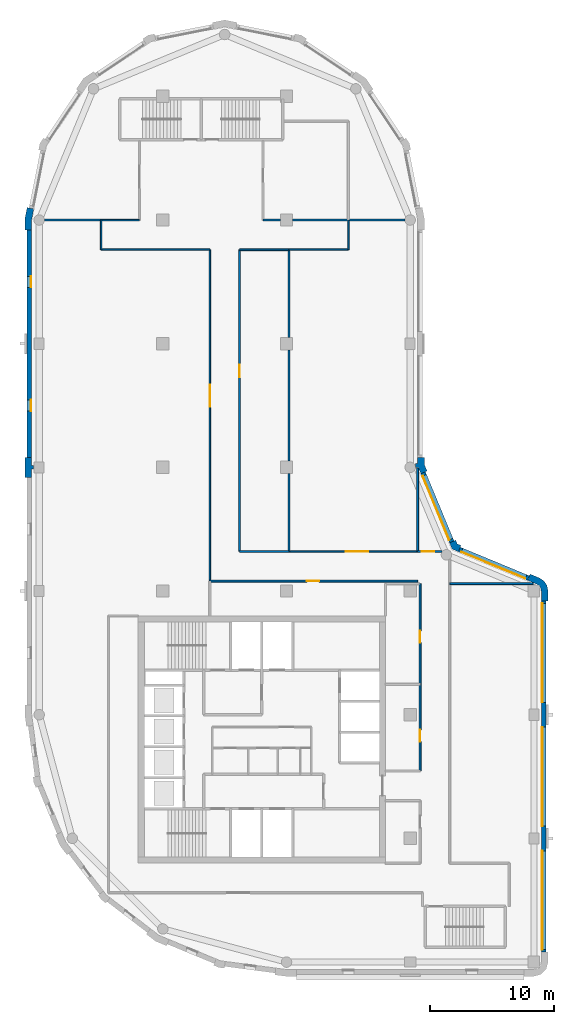
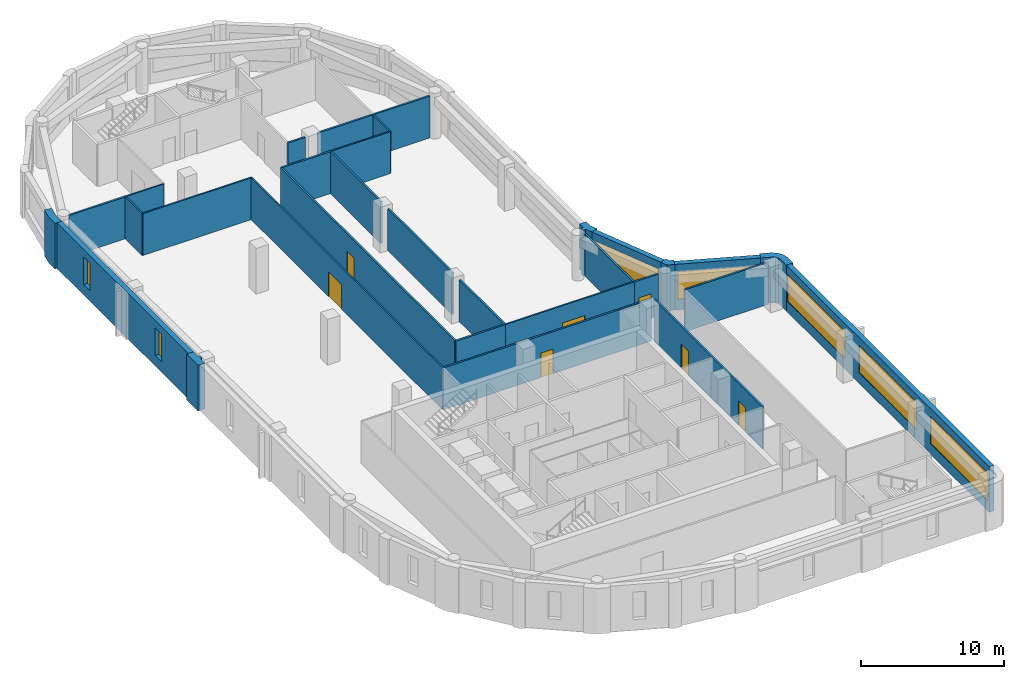
# One storey, part 4 of 8: 30 walls, 7 doors, 7 windows, 14 openings.
"""IFC4 building model written with IfcOpenShell, lengths in metres."""

from ifc_helpers import new_model, si_unit, direction, frame, frame_2d, origin, place, context, subcontext, project, spatial, polyline, rectangle, outline, extrude, material, layer, layer_set, type_object, element, fill, save


model = new_model("IFC4")

# Units and contexts
model_context = context("Model", 3, precision=1e-05, world=origin(), true_north=direction((0.0, 1.0)))
body_context = subcontext(model_context, "Body", "Model", "MODEL_VIEW")
ifc_project = project(units=[si_unit("LENGTHUNIT", "METRE"), si_unit("AREAUNIT", "SQUARE_METRE"), si_unit("VOLUMEUNIT", "CUBIC_METRE"), si_unit("PLANEANGLEUNIT", "RADIAN"), si_unit("MASSUNIT", "GRAM", prefix="KILO")], contexts=[model_context])

# Site, building, storey
site_placement = place(None, origin())
site = spatial("IfcSite", under=ifc_project, at=site_placement, CompositionType="ELEMENT")
building_placement = place(site_placement, origin())
building = spatial("IfcBuilding", under=site, at=building_placement, Name="Qaws Garden Tower", CompositionType="ELEMENT")
storey_placement = place(building_placement, frame((0.0, 0.0, 337.199951171875)))
storey = spatial("IfcBuildingStorey", under=building, at=storey_placement, Name="L82", CompositionType="ELEMENT", Elevation=337.199951171875)

# Wall
ifc_material_1 = material(Name="Clay facing brick masonry", Category="masonry")
ifc_layer_1 = layer(ifc_material_1, 0.550048828125)
ifc_layer_set_1 = layer_set([ifc_layer_1], Name="Clay facing brick masonry")
wall_type_1 = type_object("IfcWallType", Name="Brick corner pier 550 x 2400", PredefinedType="SOLIDWALL", material=ifc_layer_set_1)
placement = place(storey_placement, origin())
element("IfcWall", 1, at=placement, inside=storey, type_object=wall_type_1, Name="E-L82-pier-05", PredefinedType="SOLIDWALL", context=body_context, shape_type="SweptSolid", body=[
    extrude(outline(polyline([(41.0, 29.199951171875), (41.14990234375, 29.199951171875), (41.14990234375, 30.0), (41.0625, 30.440185546875), (40.813232421875, 30.813232421875), (40.440185546875, 31.0625), (39.700927734375, 31.36865234375), (39.6435546875, 31.22998046875), (39.490478515625, 30.860595703125), (40.2294921875, 30.554443359375), (40.42431640625, 30.42431640625), (40.554443359375, 30.2294921875), (40.60009765625, 30.0), (40.60009765625, 29.199951171875), (41.0, 29.199951171875)])), origin(), (0.0, 0.0, 1.0), 3.900146484375),
])

# Wall, openings, windows
ifc_material_2 = material(Name="Clay facing brick masonry", Category="masonry")
ifc_layer_2 = layer(ifc_material_2, 0.39990234375)
ifc_layer_set_2 = layer_set([ifc_layer_2], Name="Clay facing brick masonry")
wall_type_2 = type_object("IfcWallType", Name="Brick infill wall 400", PredefinedType="SOLIDWALL", material=ifc_layer_set_2)
wall_2_placement = place(storey_placement, frame((40.800048828125, 0.800048828125, 0.0), z_axis=(0.0, 0.0, 1.0), x_axis=(0.0, 1.0, 0.0)))
wall_2 = element("IfcWall", 2, at=wall_2_placement, inside=storey, type_object=wall_type_2, Name="E-L82-infill-02", PredefinedType="SOLIDWALL", context=body_context, shape_type="SweptSolid", body=[
    extrude(rectangle(XDim=28.39990234375, YDim=0.39990234375, at=frame_2d((14.199951171875, 0.0))), origin(), (0.0, 0.0, 1.0), 3.900146484375),
])
opening_1_placement = place(wall_2_placement, frame((0.199951171875, 0.0, 0.89990234375)))
opening_1 = element("IfcOpeningElement", 3, at=opening_1_placement, cuts=wall_2, Name="Opening W01", PredefinedType="OPENING", context=body_context, shape_type="SweptSolid", body=[
    extrude(rectangle(XDim=8.0, YDim=2.35009765625, at=frame_2d((4.0, 1.175048828125))), frame((0.0, 0.2099609375, 0.0), z_axis=(0.0, -1.0, 0.0), x_axis=(1.0, 0.0, 0.0)), (0.0, 0.0, 1.0), 0.419921875),
])
opening_2_placement = place(wall_2_placement, frame((10.199951171875, 0.0, 0.89990234375)))
opening_2 = element("IfcOpeningElement", 4, at=opening_2_placement, cuts=wall_2, Name="Opening W01", PredefinedType="OPENING", context=body_context, shape_type="SweptSolid", body=[
    extrude(rectangle(XDim=8.0, YDim=2.35009765625, at=frame_2d((4.0, 1.175048828125))), frame((0.0, 0.2099609375, 0.0), z_axis=(0.0, -1.0, 0.0), x_axis=(1.0, 0.0, 0.0)), (0.0, 0.0, 1.0), 0.419921875),
])
opening_3_placement = place(wall_2_placement, frame((20.199951171875, 0.0, 0.89990234375)))
opening_3 = element("IfcOpeningElement", 5, at=opening_3_placement, cuts=wall_2, Name="Opening W01", PredefinedType="OPENING", context=body_context, shape_type="SweptSolid", body=[
    extrude(rectangle(XDim=8.0, YDim=2.35009765625, at=frame_2d((4.0, 1.175048828125))), frame((0.0, 0.2099609375, 0.0), z_axis=(0.0, -1.0, 0.0), x_axis=(1.0, 0.0, 0.0)), (0.0, 0.0, 1.0), 0.419921875),
])
ifc_material_3 = material(Name="Aluminium framed window, clear glazing", Category="aluminium")
window_type_1 = type_object("IfcWindowType", Name="Ribbon window 8000 x 2350", PartitioningType="DOUBLE_PANEL_VERTICAL", PredefinedType="WINDOW", material=ifc_material_3)
window_1_placement = place(opening_1_placement, origin())
window_1 = element("IfcWindow", 6, at=window_1_placement, inside=storey, type_object=window_type_1, Name="E-L82-window-02-0", OverallHeight=2.35009765625, OverallWidth=8.0, PartitioningType="SINGLE_PANEL", PredefinedType="WINDOW", context=body_context, shape_type="SweptSolid", body=[
    extrude(rectangle(XDim=8.0, YDim=2.35009765625, at=frame_2d((4.0, 1.175048828125))), frame((0.0, 0.159912109375, 0.0), z_axis=(0.0, -1.0, 0.0), x_axis=(1.0, 0.0, 0.0)), (0.0, 0.0, 1.0), 0.06005859375),
])
fill(opening_1, window_1)
window_2_placement = place(opening_2_placement, origin())
window_2 = element("IfcWindow", 7, at=window_2_placement, inside=storey, type_object=window_type_1, Name="E-L82-window-03-0", OverallHeight=2.35009765625, OverallWidth=8.0, PartitioningType="SINGLE_PANEL", PredefinedType="WINDOW", context=body_context, shape_type="SweptSolid", body=[
    extrude(rectangle(XDim=8.0, YDim=2.35009765625, at=frame_2d((4.0, 1.175048828125))), frame((0.0, 0.159912109375, 0.0), z_axis=(0.0, -1.0, 0.0), x_axis=(1.0, 0.0, 0.0)), (0.0, 0.0, 1.0), 0.06005859375),
])
fill(opening_2, window_2)
window_3_placement = place(opening_3_placement, origin())
window_3 = element("IfcWindow", 8, at=window_3_placement, inside=storey, type_object=window_type_1, Name="E-L82-window-04-0", OverallHeight=2.35009765625, OverallWidth=8.0, PartitioningType="SINGLE_PANEL", PredefinedType="WINDOW", context=body_context, shape_type="SweptSolid", body=[
    extrude(rectangle(XDim=8.0, YDim=2.35009765625, at=frame_2d((4.0, 1.175048828125))), frame((0.0, 0.159912109375, 0.0), z_axis=(0.0, -1.0, 0.0), x_axis=(1.0, 0.0, 0.0)), (0.0, 0.0, 1.0), 0.06005859375),
])
fill(opening_3, window_3)

# Wall, opening, window
wall_3_placement = place(storey_placement, frame((39.56689453125, 31.04541015625, 0.0), z_axis=(0.0, 0.0, 1.0), x_axis=(-0.923891000409, 0.382655745237, 0.0)))
wall_3 = element("IfcWall", 9, at=wall_3_placement, inside=storey, type_object=wall_type_2, Name="E-L82-infill-05", PredefinedType="SOLIDWALL", context=body_context, shape_type="SweptSolid", body=[
    extrude(rectangle(XDim=6.053466796875, YDim=0.39990234375, at=frame_2d((3.02685546875, 0.0))), origin(), (0.0, 0.0, 1.0), 3.900146484375),
])
opening_4_placement = place(wall_3_placement, frame((0.226806640625, 0.0, 0.89990234375)))
opening_4 = element("IfcOpeningElement", 10, at=opening_4_placement, cuts=wall_3, Name="Opening W04", PredefinedType="OPENING", context=body_context, shape_type="SweptSolid", body=[
    extrude(rectangle(XDim=5.60009765625, YDim=2.35009765625, at=frame_2d((2.800048828125, 1.175048828125))), frame((0.0, 0.2099609375, 0.0), z_axis=(0.0, -1.0, 0.0), x_axis=(1.0, 0.0, 0.0)), (0.0, 0.0, 1.0), 0.419921875),
])
ifc_material_4 = material(Name="Aluminium framed window, clear glazing", Category="aluminium")
window_type_2 = type_object("IfcWindowType", Name="Ribbon window 5600 x 2350", PartitioningType="DOUBLE_PANEL_VERTICAL", PredefinedType="WINDOW", material=ifc_material_4)
window_4_placement = place(opening_4_placement, origin())
window_4 = element("IfcWindow", 11, at=window_4_placement, inside=storey, type_object=window_type_2, Name="E-L82-window-05-0", OverallHeight=2.35009765625, OverallWidth=5.60009765625, PartitioningType="SINGLE_PANEL", PredefinedType="WINDOW", context=body_context, shape_type="SweptSolid", body=[
    extrude(rectangle(XDim=5.60009765625, YDim=2.35009765625, at=frame_2d((2.800048828125, 1.175048828125))), frame((0.0, 0.159912109375, 0.0), z_axis=(0.0, -1.0, 0.0), x_axis=(1.0, 0.0, 0.0)), (0.0, 0.0, 1.0), 0.06005859375),
])
fill(opening_4, window_4)

wall_4_placement = place(storey_placement, frame((33.36181640625, 33.97412109375, 0.0), z_axis=(0.0, 0.0, 1.0), x_axis=(-0.382655745237, 0.923891000409, 0.0)))
wall_4 = element("IfcWall", 12, at=wall_4_placement, inside=storey, type_object=wall_type_2, Name="E-L82-infill-06", PredefinedType="SOLIDWALL", context=body_context, shape_type="SweptSolid", body=[
    extrude(rectangle(XDim=6.053466796875, YDim=0.39990234375, at=frame_2d((3.02685546875, 0.0))), origin(), (0.0, 0.0, 1.0), 3.900146484375),
])
opening_5_placement = place(wall_4_placement, frame((0.226806640625, 0.0, 0.89990234375)))
opening_5 = element("IfcOpeningElement", 13, at=opening_5_placement, cuts=wall_4, Name="Opening W04", PredefinedType="OPENING", context=body_context, shape_type="SweptSolid", body=[
    extrude(rectangle(XDim=5.60009765625, YDim=2.35009765625, at=frame_2d((2.800048828125, 1.175048828125))), frame((0.0, 0.2099609375, 0.0), z_axis=(0.0, -1.0, 0.0), x_axis=(1.0, 0.0, 0.0)), (0.0, 0.0, 1.0), 0.419921875),
])
window_5_placement = place(opening_5_placement, origin())
window_5 = element("IfcWindow", 14, at=window_5_placement, inside=storey, type_object=window_type_2, Name="E-L82-window-06-0", OverallHeight=2.35009765625, OverallWidth=5.60009765625, PartitioningType="SINGLE_PANEL", PredefinedType="WINDOW", context=body_context, shape_type="SweptSolid", body=[
    extrude(rectangle(XDim=5.60009765625, YDim=2.35009765625, at=frame_2d((2.800048828125, 1.175048828125))), frame((0.0, 0.159912109375, 0.0), z_axis=(0.0, -1.0, 0.0), x_axis=(1.0, 0.0, 0.0)), (0.0, 0.0, 1.0), 0.06005859375),
])
fill(opening_5, window_5)

# Wall, openings, windows
wall_5_placement = place(storey_placement, frame((-0.800048828125, 59.199951171875, 0.0), z_axis=(0.0, 0.0, 1.0), x_axis=(0.0, -1.0, 0.0)))
wall_5 = element("IfcWall", 15, at=wall_5_placement, inside=storey, type_object=wall_type_2, Name="E-L82-infill-17", PredefinedType="SOLIDWALL", context=body_context, shape_type="SweptSolid", body=[
    extrude(rectangle(XDim=18.39990234375, YDim=0.39990234375, at=frame_2d((9.199951171875, 0.0))), origin(), (0.0, 0.0, 1.0), 3.900146484375),
])
opening_6_placement = place(wall_5_placement, frame((3.75, 0.0, 0.89990234375)))
opening_6 = element("IfcOpeningElement", 16, at=opening_6_placement, cuts=wall_5, Name="Opening W09", PredefinedType="OPENING", context=body_context, shape_type="SweptSolid", body=[
    extrude(rectangle(XDim=0.89990234375, YDim=2.35009765625, at=frame_2d((0.449951171875, 1.175048828125))), frame((0.0, 0.2099609375, 0.0), z_axis=(0.0, -1.0, 0.0), x_axis=(1.0, 0.0, 0.0)), (0.0, 0.0, 1.0), 0.419921875),
])
opening_7_placement = place(wall_5_placement, frame((13.75, 0.0, 0.89990234375)))
opening_7 = element("IfcOpeningElement", 17, at=opening_7_placement, cuts=wall_5, Name="Opening W09", PredefinedType="OPENING", context=body_context, shape_type="SweptSolid", body=[
    extrude(rectangle(XDim=0.89990234375, YDim=2.35009765625, at=frame_2d((0.449951171875, 1.175048828125))), frame((0.0, 0.2099609375, 0.0), z_axis=(0.0, -1.0, 0.0), x_axis=(1.0, 0.0, 0.0)), (0.0, 0.0, 1.0), 0.419921875),
])
ifc_material_5 = material(Name="Aluminium framed window, clear glazing", Category="aluminium")
window_type_3 = type_object("IfcWindowType", Name="Slit window 900 x 2350", PartitioningType="SINGLE_PANEL", PredefinedType="WINDOW", material=ifc_material_5)
window_6_placement = place(opening_6_placement, origin())
window_6 = element("IfcWindow", 18, at=window_6_placement, inside=storey, type_object=window_type_3, Name="E-L82-window-17-0", OverallHeight=2.35009765625, OverallWidth=0.89990234375, PartitioningType="SINGLE_PANEL", PredefinedType="WINDOW", context=body_context, shape_type="SweptSolid", body=[
    extrude(rectangle(XDim=0.89990234375, YDim=2.35009765625, at=frame_2d((0.449951171875, 1.175048828125))), frame((0.0, 0.159912109375, 0.0), z_axis=(0.0, -1.0, 0.0), x_axis=(1.0, 0.0, 0.0)), (0.0, 0.0, 1.0), 0.06005859375),
])
fill(opening_6, window_6)
window_7_placement = place(opening_7_placement, origin())
window_7 = element("IfcWindow", 19, at=window_7_placement, inside=storey, type_object=window_type_3, Name="E-L82-window-18-0", OverallHeight=2.35009765625, OverallWidth=0.89990234375, PartitioningType="SINGLE_PANEL", PredefinedType="WINDOW", context=body_context, shape_type="SweptSolid", body=[
    extrude(rectangle(XDim=0.89990234375, YDim=2.35009765625, at=frame_2d((0.449951171875, 1.175048828125))), frame((0.0, 0.159912109375, 0.0), z_axis=(0.0, -1.0, 0.0), x_axis=(1.0, 0.0, 0.0)), (0.0, 0.0, 1.0), 0.06005859375),
])
fill(opening_7, window_7)

# Walls
ifc_material_6 = material(Name="Clay facing brick masonry", Category="masonry")
ifc_layer_3 = layer(ifc_material_6, 0.550048828125)
ifc_layer_set_3 = layer_set([ifc_layer_3], Name="Clay facing brick masonry")
wall_type_3 = type_object("IfcWallType", Name="Brick pier 550 x 1600", PredefinedType="SOLIDWALL", material=ifc_layer_set_3)
element("IfcWall", 20, at=placement, inside=storey, type_object=wall_type_3, Name="E-L82-pier-06", PredefinedType="SOLIDWALL", context=body_context, shape_type="SweptSolid", body=[
    extrude(outline(polyline([(34.05078125, 33.546630859375), (34.108154296875, 33.685302734375), (33.80908203125, 33.80908203125), (33.685302734375, 34.108154296875), (33.546630859375, 34.05078125), (33.177001953125, 33.897705078125), (33.38818359375, 33.38818359375), (33.897705078125, 33.177001953125), (34.05078125, 33.546630859375)])), origin(), (0.0, 0.0, 1.0), 3.900146484375),
])
element("IfcWall", 21, at=placement, inside=storey, type_object=wall_type_3, Name="E-L82-pier-07", PredefinedType="SOLIDWALL", context=body_context, shape_type="SweptSolid", body=[
    extrude(outline(polyline([(30.6201171875, 39.995361328125), (30.6201171875, 40.071044921875), (30.860595703125, 39.490478515625), (31.22998046875, 39.6435546875), (31.36865234375, 39.700927734375), (31.14990234375, 40.228759765625), (31.14990234375, 40.800048828125), (31.0, 40.800048828125), (30.60009765625, 40.800048828125), (30.60009765625, 40.29541015625), (30.425048828125, 40.29541015625), (30.425048828125, 39.995361328125), (30.6201171875, 39.995361328125)])), origin(), (0.0, 0.0, 1.0), 3.900146484375),
])
element("IfcWall", 22, at=placement, inside=storey, type_object=wall_type_3, Name="E-L82-pier-17", PredefinedType="SOLIDWALL", context=body_context, shape_type="SweptSolid", body=[
    extrude(outline(polyline([(-0.82470703125, 60.979736328125), (-0.971923828125, 61.009033203125), (-1.14990234375, 60.11328125), (-1.14990234375, 59.199951171875), (-1.0, 59.199951171875), (-0.60009765625, 59.199951171875), (-0.60009765625, 60.05908203125), (-0.432373046875, 60.901611328125), (-0.82470703125, 60.979736328125)])), origin(), (0.0, 0.0, 1.0), 3.900146484375),
])
element("IfcWall", 23, at=placement, inside=storey, type_object=wall_type_3, Name="E-L82-pier-19", PredefinedType="SOLIDWALL", context=body_context, shape_type="SweptSolid", body=[
    extrude(outline(polyline([(-0.60009765625, 39.199951171875), (-0.60009765625, 39.85009765625), (-0.449951171875, 39.85009765625), (-0.449951171875, 40.14990234375), (-0.60009765625, 40.14990234375), (-0.60009765625, 40.800048828125), (-1.0, 40.800048828125), (-1.14990234375, 40.800048828125), (-1.14990234375, 40.0), (-1.14990234375, 39.199951171875), (-1.0, 39.199951171875), (-0.60009765625, 39.199951171875)])), origin(), (0.0, 0.0, 1.0), 3.900146484375),
])
ifc_material_7 = material(Name="Glass and aluminium framing", Category="aluminium")
ifc_layer_4 = layer(ifc_material_7, 0.1201171875)
ifc_layer_set_4 = layer_set([ifc_layer_4], Name="Glass and aluminium framing")
wall_type_4 = type_object("IfcWallType", Name="GLAZED PARTITION 120 EI 30", PredefinedType="PARTITIONING", material=ifc_layer_set_4)
wall_10_placement = place(storey_placement, frame((5.0, 57.60009765625, 0.0), z_axis=(0.0, 0.0, 1.0), x_axis=(0.0, 1.0, 0.0)))
element("IfcWall", 24, at=wall_10_placement, inside=storey, type_object=wall_type_4, Name="O-L82-wall-031", PredefinedType="PARTITIONING", context=body_context, shape_type="SweptSolid", body=[
    extrude(rectangle(XDim=2.39990234375, YDim=0.1201171875, at=frame_2d((1.199951171875, 0.0))), origin(), (0.0, 0.0, 1.0), 3.580078125),
])

# Wall, opening, door
wall_11_placement = place(storey_placement, frame((13.800048828125, 30.800048828125, 0.0), z_axis=(0.0, 0.0, 1.0), x_axis=(0.0, 1.0, 0.0)))
wall_11 = element("IfcWall", 25, at=wall_11_placement, inside=storey, type_object=wall_type_4, Name="O-L82-wall-034", PredefinedType="PARTITIONING", context=body_context, shape_type="SweptSolid", body=[
    extrude(rectangle(XDim=26.800048828125, YDim=0.1201171875, at=frame_2d((13.39990234375, 0.0))), origin(), (0.0, 0.0, 1.0), 3.580078125),
])
opening_8_placement = place(wall_11_placement, frame((14.10009765625, 0.0, 0.0)))
opening_8 = element("IfcOpeningElement", 26, at=opening_8_placement, cuts=wall_11, Name="Opening C906", PredefinedType="OPENING", context=body_context, shape_type="SweptSolid", body=[
    extrude(rectangle(XDim=1.800048828125, YDim=2.10009765625, at=frame_2d((0.89990234375, 1.050048828125))), frame((0.0, 0.070068359375, 0.0), z_axis=(0.0, -1.0, 0.0), x_axis=(1.0, 0.0, 0.0)), (0.0, 0.0, 1.0), 0.14013671875),
])
ifc_material_8 = material(Name="Timber door leaf", Category="wood")
door_type_1 = type_object("IfcDoorType", Name="DOUBLE DOOR 1800 X 2100", OperationType="DOUBLE_DOOR_SINGLE_SWING", PredefinedType="DOOR", material=ifc_material_8)
door_1_placement = place(opening_8_placement, origin())
door_1 = element("IfcDoor", 27, at=door_1_placement, inside=storey, type_object=door_type_1, Name="O-L82-door-006", OperationType="DOUBLE_DOOR_SINGLE_SWING", OverallHeight=2.10009765625, OverallWidth=1.800048828125, PredefinedType="DOOR", context=body_context, shape_type="SweptSolid", body=[
    extrude(rectangle(XDim=1.800048828125, YDim=2.10009765625, at=frame_2d((0.89990234375, 1.050048828125))), frame((0.0, 0.02490234375, 0.0), z_axis=(0.0, -1.0, 0.0), x_axis=(1.0, 0.0, 0.0)), (0.0, 0.0, 1.0), 0.050048828125),
])
fill(opening_8, door_1)

# Wall
wall_12_placement = place(storey_placement, frame((25.0, 57.60009765625, 0.0), z_axis=(0.0, 0.0, 1.0), x_axis=(0.0, 1.0, 0.0)))
element("IfcWall", 28, at=wall_12_placement, inside=storey, type_object=wall_type_4, Name="O-L82-wall-035", PredefinedType="PARTITIONING", context=body_context, shape_type="SweptSolid", body=[
    extrude(rectangle(XDim=2.39990234375, YDim=0.1201171875, at=frame_2d((1.199951171875, 0.0))), origin(), (0.0, 0.0, 1.0), 3.580078125),
])

# Wall, opening, door
wall_13_placement = place(storey_placement, frame((20.199951171875, 33.199951171875, 0.0), z_axis=(0.0, 0.0, 1.0), x_axis=(1.0, 0.0, 0.0)))
wall_13 = element("IfcWall", 29, at=wall_13_placement, inside=storey, type_object=wall_type_4, Name="O-L82-wall-037", PredefinedType="PARTITIONING", context=body_context, shape_type="SweptSolid", body=[
    extrude(rectangle(XDim=10.400146484375, YDim=0.1201171875, at=frame_2d((5.2001953125, 0.0))), origin(), (0.0, 0.0, 1.0), 3.580078125),
])
opening_9_placement = place(wall_13_placement, frame((4.60009765625, 0.0, 0.0)))
opening_9 = element("IfcOpeningElement", 30, at=opening_9_placement, cuts=wall_13, Name="Opening C908", PredefinedType="OPENING", context=body_context, shape_type="SweptSolid", body=[
    extrude(rectangle(XDim=1.800048828125, YDim=2.10009765625, at=frame_2d((0.89990234375, 1.050048828125))), frame((0.0, 0.070068359375, 0.0), z_axis=(0.0, -1.0, 0.0), x_axis=(1.0, 0.0, 0.0)), (0.0, 0.0, 1.0), 0.14013671875),
])
door_2_placement = place(opening_9_placement, origin())
door_2 = element("IfcDoor", 31, at=door_2_placement, inside=storey, type_object=door_type_1, Name="O-L82-door-008", OperationType="DOUBLE_DOOR_SINGLE_SWING", OverallHeight=2.10009765625, OverallWidth=1.800048828125, PredefinedType="DOOR", context=body_context, shape_type="SweptSolid", body=[
    extrude(rectangle(XDim=1.800048828125, YDim=2.10009765625, at=frame_2d((0.89990234375, 1.050048828125))), frame((0.0, 0.02490234375, 0.0), z_axis=(0.0, -1.0, 0.0), x_axis=(1.0, 0.0, 0.0)), (0.0, 0.0, 1.0), 0.050048828125),
])
fill(opening_9, door_2)

# Walls
wall_14_placement = place(storey_placement, frame((5.0, 57.60009765625, 0.0), z_axis=(0.0, 0.0, 1.0), x_axis=(1.0, 0.0, 0.0)))
element("IfcWall", 32, at=wall_14_placement, inside=storey, type_object=wall_type_4, Name="O-L82-wall-038", PredefinedType="PARTITIONING", context=body_context, shape_type="SweptSolid", body=[
    extrude(rectangle(XDim=8.800048828125, YDim=0.1201171875, at=frame_2d((4.39990234375, 0.0))), origin(), (0.0, 0.0, 1.0), 3.580078125),
])
wall_15_placement = place(storey_placement, frame((20.199951171875, 57.60009765625, 0.0), z_axis=(0.0, 0.0, 1.0), x_axis=(1.0, 0.0, 0.0)))
element("IfcWall", 33, at=wall_15_placement, inside=storey, type_object=wall_type_4, Name="O-L82-wall-039", PredefinedType="PARTITIONING", context=body_context, shape_type="SweptSolid", body=[
    extrude(rectangle(XDim=4.800048828125, YDim=0.1201171875, at=frame_2d((2.39990234375, 0.0))), origin(), (0.0, 0.0, 1.0), 3.580078125),
])
wall_16_placement = place(storey_placement, frame((5.0, 60.0, 0.0), z_axis=(0.0, 0.0, 1.0), x_axis=(1.0, 0.0, 0.0)))
element("IfcWall", 34, at=wall_16_placement, inside=storey, type_object=wall_type_4, Name="O-L82-wall-040", PredefinedType="PARTITIONING", context=body_context, shape_type="SweptSolid", body=[
    extrude(rectangle(XDim=3.10009765625, YDim=0.1201171875, at=frame_2d((1.550048828125, 0.0))), origin(), (0.0, 0.0, 1.0), 3.580078125),
])

# Wall, opening, door
ifc_material_9 = material(Name="Gypsum board partition")
ifc_layer_5 = layer(ifc_material_9, 0.14990234375)
ifc_layer_set_5 = layer_set([ifc_layer_5], Name="Gypsum board partition")
wall_type_5 = type_object("IfcWallType", Name="PARTITION 150 EI 60", PredefinedType="PARTITIONING", material=ifc_layer_set_5)
wall_17_placement = place(storey_placement, frame((16.199951171875, 33.199951171875, 0.0), z_axis=(0.0, 0.0, 1.0), x_axis=(0.0, 1.0, 0.0)))
wall_17 = element("IfcWall", 35, at=wall_17_placement, inside=storey, type_object=wall_type_5, Name="O-L82-wall-002", PredefinedType="PARTITIONING", context=body_context, shape_type="SweptSolid", body=[
    extrude(rectangle(XDim=24.400146484375, YDim=0.14990234375, at=frame_2d((12.2001953125, 0.0))), origin(), (0.0, 0.0, 1.0), 3.580078125),
])
opening_10_placement = place(wall_17_placement, frame((14.10009765625, 0.0, 0.0)))
opening_10 = element("IfcOpeningElement", 36, at=opening_10_placement, cuts=wall_17, Name="Opening C907", PredefinedType="OPENING", context=body_context, shape_type="SweptSolid", body=[
    extrude(rectangle(XDim=1.0, YDim=2.10009765625, at=frame_2d((0.5, 1.050048828125))), frame((0.0, 0.0849609375, 0.0), z_axis=(0.0, -1.0, 0.0), x_axis=(1.0, 0.0, 0.0)), (0.0, 0.0, 1.0), 0.169921875),
])
ifc_material_10 = material(Name="Timber door leaf", Category="wood")
door_type_2 = type_object("IfcDoorType", Name="TENANCY ENTRANCE DOOR 1000 X 2100", OperationType="SINGLE_SWING_LEFT", PredefinedType="DOOR", material=ifc_material_10)
door_3_placement = place(opening_10_placement, frame((1.0, 0.0, 0.0), z_axis=(0.0, 0.0, 1.0), x_axis=(-1.0, 0.0, 0.0)))
door_3 = element("IfcDoor", 37, at=door_3_placement, inside=storey, type_object=door_type_2, Name="O-L82-door-007", OperationType="SINGLE_SWING_RIGHT", OverallHeight=2.10009765625, OverallWidth=1.0, PredefinedType="DOOR", context=body_context, shape_type="SweptSolid", body=[
    extrude(rectangle(XDim=1.0, YDim=2.10009765625, at=frame_2d((0.5, 1.050048828125))), frame((0.0, 0.02490234375, 0.0), z_axis=(0.0, -1.0, 0.0), x_axis=(1.0, 0.0, 0.0)), (0.0, 0.0, 1.0), 0.050048828125),
])
fill(opening_10, door_3)

# Walls
wall_18_placement = place(storey_placement, frame((20.199951171875, 33.199951171875, 0.0), z_axis=(0.0, 0.0, 1.0), x_axis=(0.0, 1.0, 0.0)))
element("IfcWall", 38, at=wall_18_placement, inside=storey, type_object=wall_type_5, Name="O-L82-wall-004", PredefinedType="PARTITIONING", context=body_context, shape_type="SweptSolid", body=[
    extrude(rectangle(XDim=6.300048828125, YDim=0.14990234375, at=frame_2d((3.14990234375, 0.0))), origin(), (0.0, 0.0, 1.0), 3.580078125),
])
wall_19_placement = place(storey_placement, frame((20.199951171875, 40.5, 0.0), z_axis=(0.0, 0.0, 1.0), x_axis=(0.0, 1.0, 0.0)))
element("IfcWall", 39, at=wall_19_placement, inside=storey, type_object=wall_type_5, Name="O-L82-wall-005", PredefinedType="PARTITIONING", context=body_context, shape_type="SweptSolid", body=[
    extrude(rectangle(XDim=9.0, YDim=0.14990234375, at=frame_2d((4.5, 0.0))), origin(), (0.0, 0.0, 1.0), 3.580078125),
])
wall_20_placement = place(storey_placement, frame((20.199951171875, 50.5, 0.0), z_axis=(0.0, 0.0, 1.0), x_axis=(0.0, 1.0, 0.0)))
element("IfcWall", 40, at=wall_20_placement, inside=storey, type_object=wall_type_5, Name="O-L82-wall-006", PredefinedType="PARTITIONING", context=body_context, shape_type="SweptSolid", body=[
    extrude(rectangle(XDim=7.10009765625, YDim=0.14990234375, at=frame_2d((3.550048828125, 0.0))), origin(), (0.0, 0.0, 1.0), 3.580078125),
])
wall_21_placement = place(storey_placement, frame((30.60009765625, 33.199951171875, 0.0), z_axis=(0.0, 0.0, 1.0), x_axis=(0.0, 1.0, 0.0)))
element("IfcWall", 41, at=wall_21_placement, inside=storey, type_object=wall_type_5, Name="O-L82-wall-009", PredefinedType="PARTITIONING", context=body_context, shape_type="SweptSolid", body=[
    extrude(rectangle(XDim=6.73828125, YDim=0.14990234375, at=frame_2d((3.369140625, 0.0))), origin(), (0.0, 0.0, 1.0), 3.580078125),
])

# Wall, openings, doors
wall_22_placement = place(storey_placement, frame((30.800048828125, 15.449951171875, 0.0), z_axis=(0.0, 0.0, 1.0), x_axis=(0.0, 1.0, 0.0)))
wall_22 = element("IfcWall", 42, at=wall_22_placement, inside=storey, type_object=wall_type_5, Name="O-L82-wall-011", PredefinedType="PARTITIONING", context=body_context, shape_type="SweptSolid", body=[
    extrude(rectangle(XDim=15.150146484375, YDim=0.14990234375, at=frame_2d((7.5751953125, 0.0))), origin(), (0.0, 0.0, 1.0), 3.580078125),
])
opening_11_placement = place(wall_22_placement, frame((2.35009765625, 0.0, 0.0)))
opening_11 = element("IfcOpeningElement", 43, at=opening_11_placement, cuts=wall_22, Name="Opening C902", PredefinedType="OPENING", context=body_context, shape_type="SweptSolid", body=[
    extrude(rectangle(XDim=1.0, YDim=2.10009765625, at=frame_2d((0.5, 1.050048828125))), frame((0.0, 0.0849609375, 0.0), z_axis=(0.0, -1.0, 0.0), x_axis=(1.0, 0.0, 0.0)), (0.0, 0.0, 1.0), 0.169921875),
])
opening_12_placement = place(wall_22_placement, frame((10.35009765625, 0.0, 0.0)))
opening_12 = element("IfcOpeningElement", 44, at=opening_12_placement, cuts=wall_22, Name="Opening C904", PredefinedType="OPENING", context=body_context, shape_type="SweptSolid", body=[
    extrude(rectangle(XDim=1.0, YDim=2.10009765625, at=frame_2d((0.5, 1.050048828125))), frame((0.0, 0.0849609375, 0.0), z_axis=(0.0, -1.0, 0.0), x_axis=(1.0, 0.0, 0.0)), (0.0, 0.0, 1.0), 0.169921875),
])
door_4_placement = place(opening_11_placement, origin())
door_4 = element("IfcDoor", 45, at=door_4_placement, inside=storey, type_object=door_type_2, Name="O-L82-door-002", OperationType="SINGLE_SWING_RIGHT", OverallHeight=2.10009765625, OverallWidth=1.0, PredefinedType="DOOR", context=body_context, shape_type="SweptSolid", body=[
    extrude(rectangle(XDim=1.0, YDim=2.10009765625, at=frame_2d((0.5, 1.050048828125))), frame((0.0, 0.02490234375, 0.0), z_axis=(0.0, -1.0, 0.0), x_axis=(1.0, 0.0, 0.0)), (0.0, 0.0, 1.0), 0.050048828125),
])
fill(opening_11, door_4)
door_5_placement = place(opening_12_placement, origin())
door_5 = element("IfcDoor", 46, at=door_5_placement, inside=storey, type_object=door_type_2, Name="O-L82-door-004", OperationType="SINGLE_SWING_RIGHT", OverallHeight=2.10009765625, OverallWidth=1.0, PredefinedType="DOOR", context=body_context, shape_type="SweptSolid", body=[
    extrude(rectangle(XDim=1.0, YDim=2.10009765625, at=frame_2d((0.5, 1.050048828125))), frame((0.0, 0.02490234375, 0.0), z_axis=(0.0, -1.0, 0.0), x_axis=(1.0, 0.0, 0.0)), (0.0, 0.0, 1.0), 0.050048828125),
])
fill(opening_12, door_5)

# Wall
wall_23_placement = place(storey_placement, frame((33.199951171875, 30.60009765625, 0.0), z_axis=(0.0, 0.0, 1.0), x_axis=(1.0, 0.0, 0.0)))
element("IfcWall", 47, at=wall_23_placement, inside=storey, type_object=wall_type_5, Name="O-L82-wall-022", PredefinedType="PARTITIONING", context=body_context, shape_type="SweptSolid", body=[
    extrude(rectangle(XDim=6.73828125, YDim=0.14990234375, at=frame_2d((3.369140625, 0.0))), origin(), (0.0, 0.0, 1.0), 3.580078125),
])

# Wall, opening, door
wall_24_placement = place(storey_placement, frame((13.802001953125, 30.800048828125, 0.0), z_axis=(0.0, 0.0, 1.0), x_axis=(1.0, 0.0, 0.0)))
wall_24 = element("IfcWall", 48, at=wall_24_placement, inside=storey, type_object=wall_type_5, Name="O-L82-wall-023", PredefinedType="PARTITIONING", context=body_context, shape_type="SweptSolid", body=[
    extrude(rectangle(XDim=16.798095703125, YDim=0.14990234375, at=frame_2d((8.39892578125, 0.0))), origin(), (0.0, 0.0, 1.0), 3.580078125),
])
opening_13_placement = place(wall_24_placement, frame((7.85009765625, 0.0, 0.0)))
opening_13 = element("IfcOpeningElement", 49, at=opening_13_placement, cuts=wall_24, Name="Opening C903", PredefinedType="OPENING", context=body_context, shape_type="SweptSolid", body=[
    extrude(rectangle(XDim=1.0, YDim=2.10009765625, at=frame_2d((0.5, 1.050048828125))), frame((0.0, 0.0849609375, 0.0), z_axis=(0.0, -1.0, 0.0), x_axis=(1.0, 0.0, 0.0)), (0.0, 0.0, 1.0), 0.169921875),
])
door_6_placement = place(opening_13_placement, frame((1.0, 0.0, 0.0), z_axis=(0.0, 0.0, 1.0), x_axis=(-1.0, 0.0, 0.0)))
door_6 = element("IfcDoor", 50, at=door_6_placement, inside=storey, type_object=door_type_2, Name="O-L82-door-003", OperationType="SINGLE_SWING_LEFT", OverallHeight=2.10009765625, OverallWidth=1.0, PredefinedType="DOOR", context=body_context, shape_type="SweptSolid", body=[
    extrude(rectangle(XDim=1.0, YDim=2.10009765625, at=frame_2d((0.5, 1.050048828125))), frame((0.0, 0.02490234375, 0.0), z_axis=(0.0, -1.0, 0.0), x_axis=(1.0, 0.0, 0.0)), (0.0, 0.0, 1.0), 0.050048828125),
])
fill(opening_13, door_6)

# Wall
wall_25_placement = place(storey_placement, frame((16.199951171875, 33.199951171875, 0.0), z_axis=(0.0, 0.0, 1.0), x_axis=(1.0, 0.0, 0.0)))
element("IfcWall", 51, at=wall_25_placement, inside=storey, type_object=wall_type_5, Name="O-L82-wall-024", PredefinedType="PARTITIONING", context=body_context, shape_type="SweptSolid", body=[
    extrude(rectangle(XDim=4.0, YDim=0.14990234375, at=frame_2d((2.0, 0.0))), origin(), (0.0, 0.0, 1.0), 3.580078125),
])

# Wall, opening, door
wall_26_placement = place(storey_placement, frame((30.60009765625, 33.199951171875, 0.0), z_axis=(0.0, 0.0, 1.0), x_axis=(1.0, 0.0, 0.0)))
wall_26 = element("IfcWall", 52, at=wall_26_placement, inside=storey, type_object=wall_type_5, Name="O-L82-wall-025", PredefinedType="PARTITIONING", context=body_context, shape_type="SweptSolid", body=[
    extrude(rectangle(XDim=1.951904296875, YDim=0.14990234375, at=frame_2d((0.97607421875, 0.0))), origin(), (0.0, 0.0, 1.0), 3.580078125),
])
opening_14_placement = place(wall_26_placement, frame((0.35009765625, 0.0, 0.0)))
opening_14 = element("IfcOpeningElement", 53, at=opening_14_placement, cuts=wall_26, Name="Opening C911", PredefinedType="OPENING", context=body_context, shape_type="SweptSolid", body=[
    extrude(rectangle(XDim=1.0, YDim=2.10009765625, at=frame_2d((0.5, 1.050048828125))), frame((0.0, 0.0849609375, 0.0), z_axis=(0.0, -1.0, 0.0), x_axis=(1.0, 0.0, 0.0)), (0.0, 0.0, 1.0), 0.169921875),
])
door_7_placement = place(opening_14_placement, origin())
door_7 = element("IfcDoor", 54, at=door_7_placement, inside=storey, type_object=door_type_2, Name="O-L82-door-011", OperationType="SINGLE_SWING_LEFT", OverallHeight=2.10009765625, OverallWidth=1.0, PredefinedType="DOOR", context=body_context, shape_type="SweptSolid", body=[
    extrude(rectangle(XDim=1.0, YDim=2.10009765625, at=frame_2d((0.5, 1.050048828125))), frame((0.0, 0.02490234375, 0.0), z_axis=(0.0, -1.0, 0.0), x_axis=(1.0, 0.0, 0.0)), (0.0, 0.0, 1.0), 0.050048828125),
])
fill(opening_14, door_7)

# Walls
wall_27_placement = place(storey_placement, frame((16.199951171875, 57.60009765625, 0.0), z_axis=(0.0, 0.0, 1.0), x_axis=(1.0, 0.0, 0.0)))
element("IfcWall", 55, at=wall_27_placement, inside=storey, type_object=wall_type_5, Name="O-L82-wall-026", PredefinedType="PARTITIONING", context=body_context, shape_type="SweptSolid", body=[
    extrude(rectangle(XDim=4.0, YDim=0.14990234375, at=frame_2d((2.0, 0.0))), origin(), (0.0, 0.0, 1.0), 3.580078125),
])
wall_28_placement = place(storey_placement, frame((0.425048828125, 60.0, 0.0), z_axis=(0.0, 0.0, 1.0), x_axis=(1.0, 0.0, 0.0)))
element("IfcWall", 56, at=wall_28_placement, inside=storey, type_object=wall_type_5, Name="O-L82-wall-027", PredefinedType="PARTITIONING", context=body_context, shape_type="SweptSolid", body=[
    extrude(rectangle(XDim=4.574951171875, YDim=0.14990234375, at=frame_2d((2.28759765625, 0.0))), origin(), (0.0, 0.0, 1.0), 3.580078125),
])
wall_29_placement = place(storey_placement, frame((18.10009765625, 60.0, 0.0), z_axis=(0.0, 0.0, 1.0), x_axis=(1.0, 0.0, 0.0)))
element("IfcWall", 57, at=wall_29_placement, inside=storey, type_object=wall_type_5, Name="O-L82-wall-028", PredefinedType="PARTITIONING", context=body_context, shape_type="SweptSolid", body=[
    extrude(rectangle(XDim=1.39990234375, YDim=0.14990234375, at=frame_2d((0.699951171875, 0.0))), origin(), (0.0, 0.0, 1.0), 3.580078125),
])
wall_30_placement = place(storey_placement, frame((20.5, 60.0, 0.0), z_axis=(0.0, 0.0, 1.0), x_axis=(1.0, 0.0, 0.0)))
element("IfcWall", 58, at=wall_30_placement, inside=storey, type_object=wall_type_5, Name="O-L82-wall-029", PredefinedType="PARTITIONING", context=body_context, shape_type="SweptSolid", body=[
    extrude(rectangle(XDim=9.074951171875, YDim=0.14990234375, at=frame_2d((4.53759765625, 0.0))), origin(), (0.0, 0.0, 1.0), 3.580078125),
])

save(model, "model.ifc")
